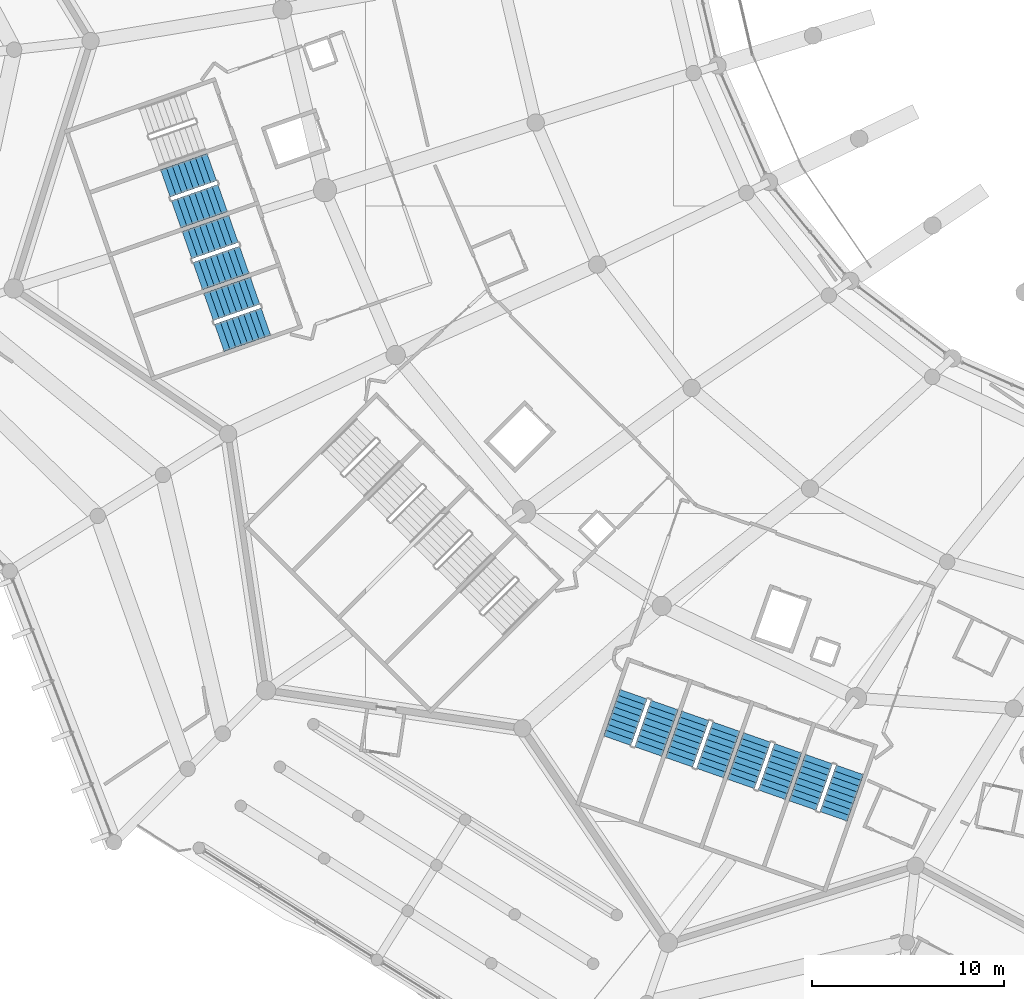
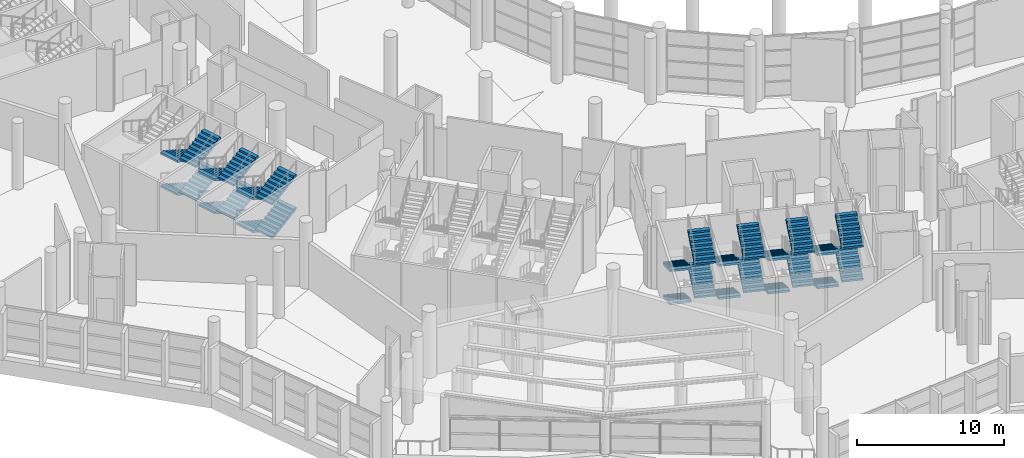
# One storey, part 205 of 271: 28 stair flights, 7 elements without a shape of their own.
"""IFC4 building model written with IfcOpenShell, lengths in metres."""

from ifc_helpers import new_model, si_unit, direction, frame, origin, place, context, subcontext, project, spatial, polyline, outline, extrude, material, type_object, element, aggregate, save


model = new_model("IFC4")

# Units and contexts
model_context = context("Model", 3, precision=1e-05, world=origin(), true_north=direction((0.0, 1.0)))
body_context = subcontext(model_context, "Body", "Model", "MODEL_VIEW")
ifc_project = project(units=[si_unit("LENGTHUNIT", "METRE"), si_unit("AREAUNIT", "SQUARE_METRE"), si_unit("VOLUMEUNIT", "CUBIC_METRE"), si_unit("PLANEANGLEUNIT", "RADIAN"), si_unit("MASSUNIT", "GRAM", prefix="KILO")], contexts=[model_context])

# Site, building, storey
site_placement = place(None, origin())
site = spatial("IfcSite", under=ifc_project, at=site_placement, CompositionType="ELEMENT")
building_placement = place(site_placement, origin())
building = spatial("IfcBuilding", under=site, at=building_placement, Name="Meseta Stadium", CompositionType="ELEMENT")
storey_placement = place(building_placement, frame((0.0, 0.0, 6.5)))
storey = spatial("IfcBuildingStorey", under=building, at=storey_placement, Name="L01", CompositionType="ELEMENT", Elevation=6.5)

# Stair, stair flights
ifc_material_1 = material(Name="Concrete C40/50", Category="concrete")
stair_type = type_object("IfcStairType", Name="Exit stair 4 flights 153 mm risers", PredefinedType="HALF_TURN_STAIR", material=ifc_material_1)
stair_1_placement = place(storey_placement, origin())
stair_1 = element("IfcStair", 1, at=stair_1_placement, inside=storey, type_object=stair_type, Name="ST78 L01", PredefinedType="HALF_TURN_STAIR")
ifc_material_2 = material(Name="Concrete C40/50", Category="concrete")
stair_flight_type = type_object("IfcStairFlightType", Name="Exit stair flight 153 mm risers, 4 per storey", PredefinedType="STRAIGHT", material=ifc_material_2)
stair_flight_1_placement = place(storey_placement, frame((-87.99560546875, -61.9931640625, 0.0), z_axis=(0.0, 0.0, 1.0), x_axis=(-0.943883331955, -0.330279057248, 0.0)))
stair_flight_1 = element("IfcStairFlight", 2, at=stair_flight_1_placement, type_object=stair_flight_type, Name="ST78 L01 flight 1", NumberOfRisers=9, NumberOfTreads=8, PredefinedType="STRAIGHT", RiserHeight=0.152777778, TreadLength=0.32, context=body_context, shape_type="SweptSolid", body=[
    extrude(outline(polyline([(0.0, 0.0), (0.0, 0.15283203125), (0.320068359375, 0.15283203125), (0.320068359375, 0.3056640625), (0.639892578125, 0.3056640625), (0.639892578125, 0.458251953125), (0.9599609375, 0.458251953125), (0.9599609375, 0.611083984375), (1.280029296875, 0.611083984375), (1.280029296875, 0.763916015625), (1.60009765625, 0.763916015625), (1.60009765625, 0.916748046875), (1.919921875, 0.916748046875), (1.919921875, 1.0693359375), (2.239990234375, 1.0693359375), (2.239990234375, 1.22216796875), (2.56005859375, 1.22216796875), (2.56005859375, 1.05615234375), (0.347900390625, 0.0), (0.0, 0.0)])), frame((0.0, 0.75, 0.0), z_axis=(0.0, -1.0, 0.0), x_axis=(1.0, 0.0, 0.0)), (0.0, 0.0, 1.0), 1.5),
])
stair_flight_2_placement = place(storey_placement, frame((-89.850341796875, -64.443359375, 1.375), z_axis=(0.0, 0.0, 1.0), x_axis=(0.943883331955, 0.330279057248, 0.0)))
stair_flight_2 = element("IfcStairFlight", 3, at=stair_flight_2_placement, type_object=stair_flight_type, Name="ST78 L01 flight 2", NumberOfRisers=9, NumberOfTreads=8, PredefinedType="STRAIGHT", RiserHeight=0.152777778, TreadLength=0.32, context=body_context, shape_type="SweptSolid", body=[
    extrude(outline(polyline([(0.0, 0.0), (0.0, 0.15283203125), (0.320068359375, 0.15283203125), (0.320068359375, 0.3056640625), (0.639892578125, 0.3056640625), (0.639892578125, 0.458251953125), (0.9599609375, 0.458251953125), (0.9599609375, 0.611083984375), (1.280029296875, 0.611083984375), (1.280029296875, 0.763916015625), (1.60009765625, 0.763916015625), (1.60009765625, 0.916748046875), (1.919921875, 0.916748046875), (1.919921875, 1.0693359375), (2.239990234375, 1.0693359375), (2.239990234375, 1.22216796875), (2.56005859375, 1.22216796875), (2.56005859375, 1.05615234375), (0.347900390625, 0.0), (0.0, 0.0)])), frame((0.0, 0.75, 0.0), z_axis=(0.0, -1.0, 0.0), x_axis=(1.0, 0.0, 0.0)), (0.0, 0.0, 1.0), 1.5),
])
stair_flight_3_placement = place(storey_placement, frame((-87.99560546875, -61.9931640625, 2.75), z_axis=(0.0, 0.0, 1.0), x_axis=(-0.943883331955, -0.330279057248, 0.0)))
stair_flight_3 = element("IfcStairFlight", 4, at=stair_flight_3_placement, type_object=stair_flight_type, Name="ST78 L01 flight 3", NumberOfRisers=9, NumberOfTreads=8, PredefinedType="STRAIGHT", RiserHeight=0.152777778, TreadLength=0.32, context=body_context, shape_type="SweptSolid", body=[
    extrude(outline(polyline([(0.0, 0.0), (0.0, 0.15283203125), (0.320068359375, 0.15283203125), (0.320068359375, 0.3056640625), (0.639892578125, 0.3056640625), (0.639892578125, 0.458251953125), (0.9599609375, 0.458251953125), (0.9599609375, 0.611083984375), (1.280029296875, 0.611083984375), (1.280029296875, 0.763916015625), (1.60009765625, 0.763916015625), (1.60009765625, 0.916748046875), (1.919921875, 0.916748046875), (1.919921875, 1.0693359375), (2.239990234375, 1.0693359375), (2.239990234375, 1.22216796875), (2.56005859375, 1.22216796875), (2.56005859375, 1.05615234375), (0.347900390625, 0.0), (0.0, 0.0)])), frame((0.0, 0.75, 0.0), z_axis=(0.0, -1.0, 0.0), x_axis=(1.0, 0.0, 0.0)), (0.0, 0.0, 1.0), 1.5),
])
stair_flight_4_placement = place(storey_placement, frame((-89.850341796875, -64.443359375, 4.125), z_axis=(0.0, 0.0, 1.0), x_axis=(0.943883331955, 0.330279057248, 0.0)))
stair_flight_4 = element("IfcStairFlight", 5, at=stair_flight_4_placement, type_object=stair_flight_type, Name="ST78 L01 flight 4", NumberOfRisers=9, NumberOfTreads=8, PredefinedType="STRAIGHT", RiserHeight=0.152777778, TreadLength=0.32, context=body_context, shape_type="SweptSolid", body=[
    extrude(outline(polyline([(0.0, 0.0), (0.0, 0.15283203125), (0.320068359375, 0.15283203125), (0.320068359375, 0.3056640625), (0.639892578125, 0.3056640625), (0.639892578125, 0.458251953125), (0.9599609375, 0.458251953125), (0.9599609375, 0.611083984375), (1.280029296875, 0.611083984375), (1.280029296875, 0.763916015625), (1.60009765625, 0.763916015625), (1.60009765625, 0.916748046875), (1.919921875, 0.916748046875), (1.919921875, 1.0693359375), (2.239990234375, 1.0693359375), (2.239990234375, 1.22216796875), (2.56005859375, 1.22216796875), (2.56005859375, 1.05615234375), (0.347900390625, 0.0), (0.0, 0.0)])), frame((0.0, 0.75, 0.0), z_axis=(0.0, -1.0, 0.0), x_axis=(1.0, 0.0, 0.0)), (0.0, 0.0, 1.0), 1.5),
])
aggregate(stair_1, [stair_flight_1, stair_flight_2, stair_flight_3, stair_flight_4])

stair_2_placement = place(storey_placement, origin())
stair_2 = element("IfcStair", 6, at=stair_2_placement, inside=storey, type_object=stair_type, Name="ST79 L01", PredefinedType="HALF_TURN_STAIR")
stair_flight_5_placement = place(storey_placement, frame((-86.87255859375, -65.202392578125, 0.0), z_axis=(0.0, 0.0, 1.0), x_axis=(-0.943883331955, -0.330279057248, 0.0)))
stair_flight_5 = element("IfcStairFlight", 7, at=stair_flight_5_placement, type_object=stair_flight_type, Name="ST79 L01 flight 1", NumberOfRisers=9, NumberOfTreads=8, PredefinedType="STRAIGHT", RiserHeight=0.152777778, TreadLength=0.32, context=body_context, shape_type="SweptSolid", body=[
    extrude(outline(polyline([(0.0, 0.0), (0.0, 0.15283203125), (0.320068359375, 0.15283203125), (0.320068359375, 0.3056640625), (0.639892578125, 0.3056640625), (0.639892578125, 0.458251953125), (0.9599609375, 0.458251953125), (0.9599609375, 0.611083984375), (1.280029296875, 0.611083984375), (1.280029296875, 0.763916015625), (1.60009765625, 0.763916015625), (1.60009765625, 0.916748046875), (1.919921875, 0.916748046875), (1.919921875, 1.0693359375), (2.239990234375, 1.0693359375), (2.239990234375, 1.22216796875), (2.56005859375, 1.22216796875), (2.56005859375, 1.05615234375), (0.347900390625, 0.0), (0.0, 0.0)])), frame((0.0, 0.75, 0.0), z_axis=(0.0, -1.0, 0.0), x_axis=(1.0, 0.0, 0.0)), (0.0, 0.0, 1.0), 1.5),
])
stair_flight_6_placement = place(storey_placement, frame((-88.7275390625, -67.652587890625, 1.375), z_axis=(0.0, 0.0, 1.0), x_axis=(0.943883331955, 0.330279057248, 0.0)))
stair_flight_6 = element("IfcStairFlight", 8, at=stair_flight_6_placement, type_object=stair_flight_type, Name="ST79 L01 flight 2", NumberOfRisers=9, NumberOfTreads=8, PredefinedType="STRAIGHT", RiserHeight=0.152777778, TreadLength=0.32, context=body_context, shape_type="SweptSolid", body=[
    extrude(outline(polyline([(0.0, 0.0), (0.0, 0.15283203125), (0.320068359375, 0.15283203125), (0.320068359375, 0.3056640625), (0.639892578125, 0.3056640625), (0.639892578125, 0.458251953125), (0.9599609375, 0.458251953125), (0.9599609375, 0.611083984375), (1.280029296875, 0.611083984375), (1.280029296875, 0.763916015625), (1.60009765625, 0.763916015625), (1.60009765625, 0.916748046875), (1.919921875, 0.916748046875), (1.919921875, 1.0693359375), (2.239990234375, 1.0693359375), (2.239990234375, 1.22216796875), (2.56005859375, 1.22216796875), (2.56005859375, 1.05615234375), (0.347900390625, 0.0), (0.0, 0.0)])), frame((0.0, 0.75, 0.0), z_axis=(0.0, -1.0, 0.0), x_axis=(1.0, 0.0, 0.0)), (0.0, 0.0, 1.0), 1.5),
])
stair_flight_7_placement = place(storey_placement, frame((-86.87255859375, -65.202392578125, 2.75), z_axis=(0.0, 0.0, 1.0), x_axis=(-0.943883331955, -0.330279057248, 0.0)))
stair_flight_7 = element("IfcStairFlight", 9, at=stair_flight_7_placement, type_object=stair_flight_type, Name="ST79 L01 flight 3", NumberOfRisers=9, NumberOfTreads=8, PredefinedType="STRAIGHT", RiserHeight=0.152777778, TreadLength=0.32, context=body_context, shape_type="SweptSolid", body=[
    extrude(outline(polyline([(0.0, 0.0), (0.0, 0.15283203125), (0.320068359375, 0.15283203125), (0.320068359375, 0.3056640625), (0.639892578125, 0.3056640625), (0.639892578125, 0.458251953125), (0.9599609375, 0.458251953125), (0.9599609375, 0.611083984375), (1.280029296875, 0.611083984375), (1.280029296875, 0.763916015625), (1.60009765625, 0.763916015625), (1.60009765625, 0.916748046875), (1.919921875, 0.916748046875), (1.919921875, 1.0693359375), (2.239990234375, 1.0693359375), (2.239990234375, 1.22216796875), (2.56005859375, 1.22216796875), (2.56005859375, 1.05615234375), (0.347900390625, 0.0), (0.0, 0.0)])), frame((0.0, 0.75, 0.0), z_axis=(0.0, -1.0, 0.0), x_axis=(1.0, 0.0, 0.0)), (0.0, 0.0, 1.0), 1.5),
])
stair_flight_8_placement = place(storey_placement, frame((-88.7275390625, -67.652587890625, 4.125), z_axis=(0.0, 0.0, 1.0), x_axis=(0.943883331955, 0.330279057248, 0.0)))
stair_flight_8 = element("IfcStairFlight", 10, at=stair_flight_8_placement, type_object=stair_flight_type, Name="ST79 L01 flight 4", NumberOfRisers=9, NumberOfTreads=8, PredefinedType="STRAIGHT", RiserHeight=0.152777778, TreadLength=0.32, context=body_context, shape_type="SweptSolid", body=[
    extrude(outline(polyline([(0.0, 0.0), (0.0, 0.15283203125), (0.320068359375, 0.15283203125), (0.320068359375, 0.3056640625), (0.639892578125, 0.3056640625), (0.639892578125, 0.458251953125), (0.9599609375, 0.458251953125), (0.9599609375, 0.611083984375), (1.280029296875, 0.611083984375), (1.280029296875, 0.763916015625), (1.60009765625, 0.763916015625), (1.60009765625, 0.916748046875), (1.919921875, 0.916748046875), (1.919921875, 1.0693359375), (2.239990234375, 1.0693359375), (2.239990234375, 1.22216796875), (2.56005859375, 1.22216796875), (2.56005859375, 1.05615234375), (0.347900390625, 0.0), (0.0, 0.0)])), frame((0.0, 0.75, 0.0), z_axis=(0.0, -1.0, 0.0), x_axis=(1.0, 0.0, 0.0)), (0.0, 0.0, 1.0), 1.5),
])
aggregate(stair_2, [stair_flight_5, stair_flight_6, stair_flight_7, stair_flight_8])

stair_3_placement = place(storey_placement, origin())
stair_3 = element("IfcStair", 11, at=stair_3_placement, inside=storey, type_object=stair_type, Name="ST80 L01", PredefinedType="HALF_TURN_STAIR")
stair_flight_9_placement = place(storey_placement, frame((-85.74951171875, -68.41162109375, 0.0), z_axis=(0.0, 0.0, 1.0), x_axis=(-0.943883331955, -0.330279057248, 0.0)))
stair_flight_9 = element("IfcStairFlight", 12, at=stair_flight_9_placement, type_object=stair_flight_type, Name="ST80 L01 flight 1", NumberOfRisers=9, NumberOfTreads=8, PredefinedType="STRAIGHT", RiserHeight=0.152777778, TreadLength=0.32, context=body_context, shape_type="SweptSolid", body=[
    extrude(outline(polyline([(0.0, 0.0), (0.0, 0.15283203125), (0.320068359375, 0.15283203125), (0.320068359375, 0.3056640625), (0.639892578125, 0.3056640625), (0.639892578125, 0.458251953125), (0.9599609375, 0.458251953125), (0.9599609375, 0.611083984375), (1.280029296875, 0.611083984375), (1.280029296875, 0.763916015625), (1.60009765625, 0.763916015625), (1.60009765625, 0.916748046875), (1.919921875, 0.916748046875), (1.919921875, 1.0693359375), (2.239990234375, 1.0693359375), (2.239990234375, 1.22216796875), (2.56005859375, 1.22216796875), (2.56005859375, 1.05615234375), (0.347900390625, 0.0), (0.0, 0.0)])), frame((0.0, 0.75, 0.0), z_axis=(0.0, -1.0, 0.0), x_axis=(1.0, 0.0, 0.0)), (0.0, 0.0, 1.0), 1.5),
])
stair_flight_10_placement = place(storey_placement, frame((-87.6044921875, -70.86181640625, 1.375), z_axis=(0.0, 0.0, 1.0), x_axis=(0.943883331955, 0.330279057248, 0.0)))
stair_flight_10 = element("IfcStairFlight", 13, at=stair_flight_10_placement, type_object=stair_flight_type, Name="ST80 L01 flight 2", NumberOfRisers=9, NumberOfTreads=8, PredefinedType="STRAIGHT", RiserHeight=0.152777778, TreadLength=0.32, context=body_context, shape_type="SweptSolid", body=[
    extrude(outline(polyline([(0.0, 0.0), (0.0, 0.15283203125), (0.320068359375, 0.15283203125), (0.320068359375, 0.3056640625), (0.639892578125, 0.3056640625), (0.639892578125, 0.458251953125), (0.9599609375, 0.458251953125), (0.9599609375, 0.611083984375), (1.280029296875, 0.611083984375), (1.280029296875, 0.763916015625), (1.60009765625, 0.763916015625), (1.60009765625, 0.916748046875), (1.919921875, 0.916748046875), (1.919921875, 1.0693359375), (2.239990234375, 1.0693359375), (2.239990234375, 1.22216796875), (2.56005859375, 1.22216796875), (2.56005859375, 1.05615234375), (0.347900390625, 0.0), (0.0, 0.0)])), frame((0.0, 0.75, 0.0), z_axis=(0.0, -1.0, 0.0), x_axis=(1.0, 0.0, 0.0)), (0.0, 0.0, 1.0), 1.5),
])
stair_flight_11_placement = place(storey_placement, frame((-85.74951171875, -68.41162109375, 2.75), z_axis=(0.0, 0.0, 1.0), x_axis=(-0.943883331955, -0.330279057248, 0.0)))
stair_flight_11 = element("IfcStairFlight", 14, at=stair_flight_11_placement, type_object=stair_flight_type, Name="ST80 L01 flight 3", NumberOfRisers=9, NumberOfTreads=8, PredefinedType="STRAIGHT", RiserHeight=0.152777778, TreadLength=0.32, context=body_context, shape_type="SweptSolid", body=[
    extrude(outline(polyline([(0.0, 0.0), (0.0, 0.15283203125), (0.320068359375, 0.15283203125), (0.320068359375, 0.3056640625), (0.639892578125, 0.3056640625), (0.639892578125, 0.458251953125), (0.9599609375, 0.458251953125), (0.9599609375, 0.611083984375), (1.280029296875, 0.611083984375), (1.280029296875, 0.763916015625), (1.60009765625, 0.763916015625), (1.60009765625, 0.916748046875), (1.919921875, 0.916748046875), (1.919921875, 1.0693359375), (2.239990234375, 1.0693359375), (2.239990234375, 1.22216796875), (2.56005859375, 1.22216796875), (2.56005859375, 1.05615234375), (0.347900390625, 0.0), (0.0, 0.0)])), frame((0.0, 0.75, 0.0), z_axis=(0.0, -1.0, 0.0), x_axis=(1.0, 0.0, 0.0)), (0.0, 0.0, 1.0), 1.5),
])
stair_flight_12_placement = place(storey_placement, frame((-87.6044921875, -70.86181640625, 4.125), z_axis=(0.0, 0.0, 1.0), x_axis=(0.943883331955, 0.330279057248, 0.0)))
stair_flight_12 = element("IfcStairFlight", 15, at=stair_flight_12_placement, type_object=stair_flight_type, Name="ST80 L01 flight 4", NumberOfRisers=9, NumberOfTreads=8, PredefinedType="STRAIGHT", RiserHeight=0.152777778, TreadLength=0.32, context=body_context, shape_type="SweptSolid", body=[
    extrude(outline(polyline([(0.0, 0.0), (0.0, 0.15283203125), (0.320068359375, 0.15283203125), (0.320068359375, 0.3056640625), (0.639892578125, 0.3056640625), (0.639892578125, 0.458251953125), (0.9599609375, 0.458251953125), (0.9599609375, 0.611083984375), (1.280029296875, 0.611083984375), (1.280029296875, 0.763916015625), (1.60009765625, 0.763916015625), (1.60009765625, 0.916748046875), (1.919921875, 0.916748046875), (1.919921875, 1.0693359375), (2.239990234375, 1.0693359375), (2.239990234375, 1.22216796875), (2.56005859375, 1.22216796875), (2.56005859375, 1.05615234375), (0.347900390625, 0.0), (0.0, 0.0)])), frame((0.0, 0.75, 0.0), z_axis=(0.0, -1.0, 0.0), x_axis=(1.0, 0.0, 0.0)), (0.0, 0.0, 1.0), 1.5),
])
aggregate(stair_3, [stair_flight_9, stair_flight_10, stair_flight_11, stair_flight_12])

stair_4_placement = place(storey_placement, origin())
stair_4 = element("IfcStair", 16, at=stair_4_placement, inside=storey, type_object=stair_type, Name="ST85 L01", PredefinedType="HALF_TURN_STAIR")
stair_flight_13_placement = place(storey_placement, frame((-66.082275390625, -89.376953125, 0.0), z_axis=(0.0, 0.0, 1.0), x_axis=(-0.330279057248, -0.943883331955, 0.0)))
stair_flight_13 = element("IfcStairFlight", 17, at=stair_flight_13_placement, type_object=stair_flight_type, Name="ST85 L01 flight 1", NumberOfRisers=9, NumberOfTreads=8, PredefinedType="STRAIGHT", RiserHeight=0.152777778, TreadLength=0.32, context=body_context, shape_type="SweptSolid", body=[
    extrude(outline(polyline([(0.0, 0.0), (0.0, 0.15283203125), (0.320068359375, 0.15283203125), (0.320068359375, 0.3056640625), (0.639892578125, 0.3056640625), (0.639892578125, 0.458251953125), (0.9599609375, 0.458251953125), (0.9599609375, 0.611083984375), (1.280029296875, 0.611083984375), (1.280029296875, 0.763916015625), (1.60009765625, 0.763916015625), (1.60009765625, 0.916748046875), (1.919921875, 0.916748046875), (1.919921875, 1.0693359375), (2.239990234375, 1.0693359375), (2.239990234375, 1.22216796875), (2.56005859375, 1.22216796875), (2.56005859375, 1.05615234375), (0.347900390625, 0.0), (0.0, 0.0)])), frame((0.0, 0.75, 0.0), z_axis=(0.0, -1.0, 0.0), x_axis=(1.0, 0.0, 0.0)), (0.0, 0.0, 1.0), 1.5),
])
stair_flight_14_placement = place(storey_placement, frame((-65.3232421875, -92.354736328125, 1.375), z_axis=(0.0, 0.0, 1.0), x_axis=(0.330279057248, 0.943883331955, 0.0)))
stair_flight_14 = element("IfcStairFlight", 18, at=stair_flight_14_placement, type_object=stair_flight_type, Name="ST85 L01 flight 2", NumberOfRisers=9, NumberOfTreads=8, PredefinedType="STRAIGHT", RiserHeight=0.152777778, TreadLength=0.32, context=body_context, shape_type="SweptSolid", body=[
    extrude(outline(polyline([(0.0, 0.0), (0.0, 0.15283203125), (0.320068359375, 0.15283203125), (0.320068359375, 0.3056640625), (0.639892578125, 0.3056640625), (0.639892578125, 0.458251953125), (0.9599609375, 0.458251953125), (0.9599609375, 0.611083984375), (1.280029296875, 0.611083984375), (1.280029296875, 0.763916015625), (1.60009765625, 0.763916015625), (1.60009765625, 0.916748046875), (1.919921875, 0.916748046875), (1.919921875, 1.0693359375), (2.239990234375, 1.0693359375), (2.239990234375, 1.22216796875), (2.56005859375, 1.22216796875), (2.56005859375, 1.05615234375), (0.347900390625, 0.0), (0.0, 0.0)])), frame((0.0, 0.75, 0.0), z_axis=(0.0, -1.0, 0.0), x_axis=(1.0, 0.0, 0.0)), (0.0, 0.0, 1.0), 1.5),
])
stair_flight_15_placement = place(storey_placement, frame((-66.082275390625, -89.376953125, 2.75), z_axis=(0.0, 0.0, 1.0), x_axis=(-0.330279057248, -0.943883331955, 0.0)))
stair_flight_15 = element("IfcStairFlight", 19, at=stair_flight_15_placement, type_object=stair_flight_type, Name="ST85 L01 flight 3", NumberOfRisers=9, NumberOfTreads=8, PredefinedType="STRAIGHT", RiserHeight=0.152777778, TreadLength=0.32, context=body_context, shape_type="SweptSolid", body=[
    extrude(outline(polyline([(0.0, 0.0), (0.0, 0.15283203125), (0.320068359375, 0.15283203125), (0.320068359375, 0.3056640625), (0.639892578125, 0.3056640625), (0.639892578125, 0.458251953125), (0.9599609375, 0.458251953125), (0.9599609375, 0.611083984375), (1.280029296875, 0.611083984375), (1.280029296875, 0.763916015625), (1.60009765625, 0.763916015625), (1.60009765625, 0.916748046875), (1.919921875, 0.916748046875), (1.919921875, 1.0693359375), (2.239990234375, 1.0693359375), (2.239990234375, 1.22216796875), (2.56005859375, 1.22216796875), (2.56005859375, 1.05615234375), (0.347900390625, 0.0), (0.0, 0.0)])), frame((0.0, 0.75, 0.0), z_axis=(0.0, -1.0, 0.0), x_axis=(1.0, 0.0, 0.0)), (0.0, 0.0, 1.0), 1.5),
])
stair_flight_16_placement = place(storey_placement, frame((-65.3232421875, -92.354736328125, 4.125), z_axis=(0.0, 0.0, 1.0), x_axis=(0.330279057248, 0.943883331955, 0.0)))
stair_flight_16 = element("IfcStairFlight", 20, at=stair_flight_16_placement, type_object=stair_flight_type, Name="ST85 L01 flight 4", NumberOfRisers=9, NumberOfTreads=8, PredefinedType="STRAIGHT", RiserHeight=0.152777778, TreadLength=0.32, context=body_context, shape_type="SweptSolid", body=[
    extrude(outline(polyline([(0.0, 0.0), (0.0, 0.15283203125), (0.320068359375, 0.15283203125), (0.320068359375, 0.3056640625), (0.639892578125, 0.3056640625), (0.639892578125, 0.458251953125), (0.9599609375, 0.458251953125), (0.9599609375, 0.611083984375), (1.280029296875, 0.611083984375), (1.280029296875, 0.763916015625), (1.60009765625, 0.763916015625), (1.60009765625, 0.916748046875), (1.919921875, 0.916748046875), (1.919921875, 1.0693359375), (2.239990234375, 1.0693359375), (2.239990234375, 1.22216796875), (2.56005859375, 1.22216796875), (2.56005859375, 1.05615234375), (0.347900390625, 0.0), (0.0, 0.0)])), frame((0.0, 0.75, 0.0), z_axis=(0.0, -1.0, 0.0), x_axis=(1.0, 0.0, 0.0)), (0.0, 0.0, 1.0), 1.5),
])
aggregate(stair_4, [stair_flight_13, stair_flight_14, stair_flight_15, stair_flight_16])

stair_5_placement = place(storey_placement, origin())
stair_5 = element("IfcStair", 21, at=stair_5_placement, inside=storey, type_object=stair_type, Name="ST86 L01", PredefinedType="HALF_TURN_STAIR")
stair_flight_17_placement = place(storey_placement, frame((-62.873046875, -90.5, 0.0), z_axis=(0.0, 0.0, 1.0), x_axis=(-0.330279057248, -0.943883331955, 0.0)))
stair_flight_17 = element("IfcStairFlight", 22, at=stair_flight_17_placement, type_object=stair_flight_type, Name="ST86 L01 flight 1", NumberOfRisers=9, NumberOfTreads=8, PredefinedType="STRAIGHT", RiserHeight=0.152777778, TreadLength=0.32, context=body_context, shape_type="SweptSolid", body=[
    extrude(outline(polyline([(0.0, 0.0), (0.0, 0.15283203125), (0.320068359375, 0.15283203125), (0.320068359375, 0.3056640625), (0.639892578125, 0.3056640625), (0.639892578125, 0.458251953125), (0.9599609375, 0.458251953125), (0.9599609375, 0.611083984375), (1.280029296875, 0.611083984375), (1.280029296875, 0.763916015625), (1.60009765625, 0.763916015625), (1.60009765625, 0.916748046875), (1.919921875, 0.916748046875), (1.919921875, 1.0693359375), (2.239990234375, 1.0693359375), (2.239990234375, 1.22216796875), (2.56005859375, 1.22216796875), (2.56005859375, 1.05615234375), (0.347900390625, 0.0), (0.0, 0.0)])), frame((0.0, 0.75, 0.0), z_axis=(0.0, -1.0, 0.0), x_axis=(1.0, 0.0, 0.0)), (0.0, 0.0, 1.0), 1.5),
])
stair_flight_18_placement = place(storey_placement, frame((-62.114013671875, -93.477783203125, 1.375), z_axis=(0.0, 0.0, 1.0), x_axis=(0.330279057248, 0.943883331955, 0.0)))
stair_flight_18 = element("IfcStairFlight", 23, at=stair_flight_18_placement, type_object=stair_flight_type, Name="ST86 L01 flight 2", NumberOfRisers=9, NumberOfTreads=8, PredefinedType="STRAIGHT", RiserHeight=0.152777778, TreadLength=0.32, context=body_context, shape_type="SweptSolid", body=[
    extrude(outline(polyline([(0.0, 0.0), (0.0, 0.15283203125), (0.320068359375, 0.15283203125), (0.320068359375, 0.3056640625), (0.639892578125, 0.3056640625), (0.639892578125, 0.458251953125), (0.9599609375, 0.458251953125), (0.9599609375, 0.611083984375), (1.280029296875, 0.611083984375), (1.280029296875, 0.763916015625), (1.60009765625, 0.763916015625), (1.60009765625, 0.916748046875), (1.919921875, 0.916748046875), (1.919921875, 1.0693359375), (2.239990234375, 1.0693359375), (2.239990234375, 1.22216796875), (2.56005859375, 1.22216796875), (2.56005859375, 1.05615234375), (0.347900390625, 0.0), (0.0, 0.0)])), frame((0.0, 0.75, 0.0), z_axis=(0.0, -1.0, 0.0), x_axis=(1.0, 0.0, 0.0)), (0.0, 0.0, 1.0), 1.5),
])
stair_flight_19_placement = place(storey_placement, frame((-62.873046875, -90.5, 2.75), z_axis=(0.0, 0.0, 1.0), x_axis=(-0.330279057248, -0.943883331955, 0.0)))
stair_flight_19 = element("IfcStairFlight", 24, at=stair_flight_19_placement, type_object=stair_flight_type, Name="ST86 L01 flight 3", NumberOfRisers=9, NumberOfTreads=8, PredefinedType="STRAIGHT", RiserHeight=0.152777778, TreadLength=0.32, context=body_context, shape_type="SweptSolid", body=[
    extrude(outline(polyline([(0.0, 0.0), (0.0, 0.15283203125), (0.320068359375, 0.15283203125), (0.320068359375, 0.3056640625), (0.639892578125, 0.3056640625), (0.639892578125, 0.458251953125), (0.9599609375, 0.458251953125), (0.9599609375, 0.611083984375), (1.280029296875, 0.611083984375), (1.280029296875, 0.763916015625), (1.60009765625, 0.763916015625), (1.60009765625, 0.916748046875), (1.919921875, 0.916748046875), (1.919921875, 1.0693359375), (2.239990234375, 1.0693359375), (2.239990234375, 1.22216796875), (2.56005859375, 1.22216796875), (2.56005859375, 1.05615234375), (0.347900390625, 0.0), (0.0, 0.0)])), frame((0.0, 0.75, 0.0), z_axis=(0.0, -1.0, 0.0), x_axis=(1.0, 0.0, 0.0)), (0.0, 0.0, 1.0), 1.5),
])
stair_flight_20_placement = place(storey_placement, frame((-62.114013671875, -93.477783203125, 4.125), z_axis=(0.0, 0.0, 1.0), x_axis=(0.330279057248, 0.943883331955, 0.0)))
stair_flight_20 = element("IfcStairFlight", 25, at=stair_flight_20_placement, type_object=stair_flight_type, Name="ST86 L01 flight 4", NumberOfRisers=9, NumberOfTreads=8, PredefinedType="STRAIGHT", RiserHeight=0.152777778, TreadLength=0.32, context=body_context, shape_type="SweptSolid", body=[
    extrude(outline(polyline([(0.0, 0.0), (0.0, 0.15283203125), (0.320068359375, 0.15283203125), (0.320068359375, 0.3056640625), (0.639892578125, 0.3056640625), (0.639892578125, 0.458251953125), (0.9599609375, 0.458251953125), (0.9599609375, 0.611083984375), (1.280029296875, 0.611083984375), (1.280029296875, 0.763916015625), (1.60009765625, 0.763916015625), (1.60009765625, 0.916748046875), (1.919921875, 0.916748046875), (1.919921875, 1.0693359375), (2.239990234375, 1.0693359375), (2.239990234375, 1.22216796875), (2.56005859375, 1.22216796875), (2.56005859375, 1.05615234375), (0.347900390625, 0.0), (0.0, 0.0)])), frame((0.0, 0.75, 0.0), z_axis=(0.0, -1.0, 0.0), x_axis=(1.0, 0.0, 0.0)), (0.0, 0.0, 1.0), 1.5),
])
aggregate(stair_5, [stair_flight_17, stair_flight_18, stair_flight_19, stair_flight_20])

stair_6_placement = place(storey_placement, origin())
stair_6 = element("IfcStair", 26, at=stair_6_placement, inside=storey, type_object=stair_type, Name="ST87 L01", PredefinedType="HALF_TURN_STAIR")
stair_flight_21_placement = place(storey_placement, frame((-59.663818359375, -91.622802734375, 0.0), z_axis=(0.0, 0.0, 1.0), x_axis=(-0.330279057248, -0.943883331955, 0.0)))
stair_flight_21 = element("IfcStairFlight", 27, at=stair_flight_21_placement, type_object=stair_flight_type, Name="ST87 L01 flight 1", NumberOfRisers=9, NumberOfTreads=8, PredefinedType="STRAIGHT", RiserHeight=0.152777778, TreadLength=0.32, context=body_context, shape_type="SweptSolid", body=[
    extrude(outline(polyline([(0.0, 0.0), (0.0, 0.15283203125), (0.320068359375, 0.15283203125), (0.320068359375, 0.3056640625), (0.639892578125, 0.3056640625), (0.639892578125, 0.458251953125), (0.9599609375, 0.458251953125), (0.9599609375, 0.611083984375), (1.280029296875, 0.611083984375), (1.280029296875, 0.763916015625), (1.60009765625, 0.763916015625), (1.60009765625, 0.916748046875), (1.919921875, 0.916748046875), (1.919921875, 1.0693359375), (2.239990234375, 1.0693359375), (2.239990234375, 1.22216796875), (2.56005859375, 1.22216796875), (2.56005859375, 1.05615234375), (0.347900390625, 0.0), (0.0, 0.0)])), frame((0.0, 0.75, 0.0), z_axis=(0.0, -1.0, 0.0), x_axis=(1.0, 0.0, 0.0)), (0.0, 0.0, 1.0), 1.5),
])
stair_flight_22_placement = place(storey_placement, frame((-58.90478515625, -94.6005859375, 1.375), z_axis=(0.0, 0.0, 1.0), x_axis=(0.330279057248, 0.943883331955, 0.0)))
stair_flight_22 = element("IfcStairFlight", 28, at=stair_flight_22_placement, type_object=stair_flight_type, Name="ST87 L01 flight 2", NumberOfRisers=9, NumberOfTreads=8, PredefinedType="STRAIGHT", RiserHeight=0.152777778, TreadLength=0.32, context=body_context, shape_type="SweptSolid", body=[
    extrude(outline(polyline([(0.0, 0.0), (0.0, 0.15283203125), (0.320068359375, 0.15283203125), (0.320068359375, 0.3056640625), (0.639892578125, 0.3056640625), (0.639892578125, 0.458251953125), (0.9599609375, 0.458251953125), (0.9599609375, 0.611083984375), (1.280029296875, 0.611083984375), (1.280029296875, 0.763916015625), (1.60009765625, 0.763916015625), (1.60009765625, 0.916748046875), (1.919921875, 0.916748046875), (1.919921875, 1.0693359375), (2.239990234375, 1.0693359375), (2.239990234375, 1.22216796875), (2.56005859375, 1.22216796875), (2.56005859375, 1.05615234375), (0.347900390625, 0.0), (0.0, 0.0)])), frame((0.0, 0.75, 0.0), z_axis=(0.0, -1.0, 0.0), x_axis=(1.0, 0.0, 0.0)), (0.0, 0.0, 1.0), 1.5),
])
stair_flight_23_placement = place(storey_placement, frame((-59.663818359375, -91.622802734375, 2.75), z_axis=(0.0, 0.0, 1.0), x_axis=(-0.330279057248, -0.943883331955, 0.0)))
stair_flight_23 = element("IfcStairFlight", 29, at=stair_flight_23_placement, type_object=stair_flight_type, Name="ST87 L01 flight 3", NumberOfRisers=9, NumberOfTreads=8, PredefinedType="STRAIGHT", RiserHeight=0.152777778, TreadLength=0.32, context=body_context, shape_type="SweptSolid", body=[
    extrude(outline(polyline([(0.0, 0.0), (0.0, 0.15283203125), (0.320068359375, 0.15283203125), (0.320068359375, 0.3056640625), (0.639892578125, 0.3056640625), (0.639892578125, 0.458251953125), (0.9599609375, 0.458251953125), (0.9599609375, 0.611083984375), (1.280029296875, 0.611083984375), (1.280029296875, 0.763916015625), (1.60009765625, 0.763916015625), (1.60009765625, 0.916748046875), (1.919921875, 0.916748046875), (1.919921875, 1.0693359375), (2.239990234375, 1.0693359375), (2.239990234375, 1.22216796875), (2.56005859375, 1.22216796875), (2.56005859375, 1.05615234375), (0.347900390625, 0.0), (0.0, 0.0)])), frame((0.0, 0.75, 0.0), z_axis=(0.0, -1.0, 0.0), x_axis=(1.0, 0.0, 0.0)), (0.0, 0.0, 1.0), 1.5),
])
stair_flight_24_placement = place(storey_placement, frame((-58.90478515625, -94.6005859375, 4.125), z_axis=(0.0, 0.0, 1.0), x_axis=(0.330279057248, 0.943883331955, 0.0)))
stair_flight_24 = element("IfcStairFlight", 30, at=stair_flight_24_placement, type_object=stair_flight_type, Name="ST87 L01 flight 4", NumberOfRisers=9, NumberOfTreads=8, PredefinedType="STRAIGHT", RiserHeight=0.152777778, TreadLength=0.32, context=body_context, shape_type="SweptSolid", body=[
    extrude(outline(polyline([(0.0, 0.0), (0.0, 0.15283203125), (0.320068359375, 0.15283203125), (0.320068359375, 0.3056640625), (0.639892578125, 0.3056640625), (0.639892578125, 0.458251953125), (0.9599609375, 0.458251953125), (0.9599609375, 0.611083984375), (1.280029296875, 0.611083984375), (1.280029296875, 0.763916015625), (1.60009765625, 0.763916015625), (1.60009765625, 0.916748046875), (1.919921875, 0.916748046875), (1.919921875, 1.0693359375), (2.239990234375, 1.0693359375), (2.239990234375, 1.22216796875), (2.56005859375, 1.22216796875), (2.56005859375, 1.05615234375), (0.347900390625, 0.0), (0.0, 0.0)])), frame((0.0, 0.75, 0.0), z_axis=(0.0, -1.0, 0.0), x_axis=(1.0, 0.0, 0.0)), (0.0, 0.0, 1.0), 1.5),
])
aggregate(stair_6, [stair_flight_21, stair_flight_22, stair_flight_23, stair_flight_24])

stair_7_placement = place(storey_placement, origin())
stair_7 = element("IfcStair", 31, at=stair_7_placement, inside=storey, type_object=stair_type, Name="ST88 L01", PredefinedType="HALF_TURN_STAIR")
stair_flight_25_placement = place(storey_placement, frame((-56.454833984375, -92.745849609375, 0.0), z_axis=(0.0, 0.0, 1.0), x_axis=(-0.330279057248, -0.943883331955, 0.0)))
stair_flight_25 = element("IfcStairFlight", 32, at=stair_flight_25_placement, type_object=stair_flight_type, Name="ST88 L01 flight 1", NumberOfRisers=9, NumberOfTreads=8, PredefinedType="STRAIGHT", RiserHeight=0.152777778, TreadLength=0.32, context=body_context, shape_type="SweptSolid", body=[
    extrude(outline(polyline([(0.0, 0.0), (0.0, 0.15283203125), (0.320068359375, 0.15283203125), (0.320068359375, 0.3056640625), (0.639892578125, 0.3056640625), (0.639892578125, 0.458251953125), (0.9599609375, 0.458251953125), (0.9599609375, 0.611083984375), (1.280029296875, 0.611083984375), (1.280029296875, 0.763916015625), (1.60009765625, 0.763916015625), (1.60009765625, 0.916748046875), (1.919921875, 0.916748046875), (1.919921875, 1.0693359375), (2.239990234375, 1.0693359375), (2.239990234375, 1.22216796875), (2.56005859375, 1.22216796875), (2.56005859375, 1.05615234375), (0.347900390625, 0.0), (0.0, 0.0)])), frame((0.0, 0.75, 0.0), z_axis=(0.0, -1.0, 0.0), x_axis=(1.0, 0.0, 0.0)), (0.0, 0.0, 1.0), 1.5),
])
stair_flight_26_placement = place(storey_placement, frame((-55.695556640625, -95.7236328125, 1.375), z_axis=(0.0, 0.0, 1.0), x_axis=(0.330279057248, 0.943883331955, 0.0)))
stair_flight_26 = element("IfcStairFlight", 33, at=stair_flight_26_placement, type_object=stair_flight_type, Name="ST88 L01 flight 2", NumberOfRisers=9, NumberOfTreads=8, PredefinedType="STRAIGHT", RiserHeight=0.152777778, TreadLength=0.32, context=body_context, shape_type="SweptSolid", body=[
    extrude(outline(polyline([(0.0, 0.0), (0.0, 0.15283203125), (0.320068359375, 0.15283203125), (0.320068359375, 0.3056640625), (0.639892578125, 0.3056640625), (0.639892578125, 0.458251953125), (0.9599609375, 0.458251953125), (0.9599609375, 0.611083984375), (1.280029296875, 0.611083984375), (1.280029296875, 0.763916015625), (1.60009765625, 0.763916015625), (1.60009765625, 0.916748046875), (1.919921875, 0.916748046875), (1.919921875, 1.0693359375), (2.239990234375, 1.0693359375), (2.239990234375, 1.22216796875), (2.56005859375, 1.22216796875), (2.56005859375, 1.05615234375), (0.347900390625, 0.0), (0.0, 0.0)])), frame((0.0, 0.75, 0.0), z_axis=(0.0, -1.0, 0.0), x_axis=(1.0, 0.0, 0.0)), (0.0, 0.0, 1.0), 1.5),
])
stair_flight_27_placement = place(storey_placement, frame((-56.454833984375, -92.745849609375, 2.75), z_axis=(0.0, 0.0, 1.0), x_axis=(-0.330279057248, -0.943883331955, 0.0)))
stair_flight_27 = element("IfcStairFlight", 34, at=stair_flight_27_placement, type_object=stair_flight_type, Name="ST88 L01 flight 3", NumberOfRisers=9, NumberOfTreads=8, PredefinedType="STRAIGHT", RiserHeight=0.152777778, TreadLength=0.32, context=body_context, shape_type="SweptSolid", body=[
    extrude(outline(polyline([(0.0, 0.0), (0.0, 0.15283203125), (0.320068359375, 0.15283203125), (0.320068359375, 0.3056640625), (0.639892578125, 0.3056640625), (0.639892578125, 0.458251953125), (0.9599609375, 0.458251953125), (0.9599609375, 0.611083984375), (1.280029296875, 0.611083984375), (1.280029296875, 0.763916015625), (1.60009765625, 0.763916015625), (1.60009765625, 0.916748046875), (1.919921875, 0.916748046875), (1.919921875, 1.0693359375), (2.239990234375, 1.0693359375), (2.239990234375, 1.22216796875), (2.56005859375, 1.22216796875), (2.56005859375, 1.05615234375), (0.347900390625, 0.0), (0.0, 0.0)])), frame((0.0, 0.75, 0.0), z_axis=(0.0, -1.0, 0.0), x_axis=(1.0, 0.0, 0.0)), (0.0, 0.0, 1.0), 1.5),
])
stair_flight_28_placement = place(storey_placement, frame((-55.695556640625, -95.7236328125, 4.125), z_axis=(0.0, 0.0, 1.0), x_axis=(0.330279057248, 0.943883331955, 0.0)))
stair_flight_28 = element("IfcStairFlight", 35, at=stair_flight_28_placement, type_object=stair_flight_type, Name="ST88 L01 flight 4", NumberOfRisers=9, NumberOfTreads=8, PredefinedType="STRAIGHT", RiserHeight=0.152777778, TreadLength=0.32, context=body_context, shape_type="SweptSolid", body=[
    extrude(outline(polyline([(0.0, 0.0), (0.0, 0.15283203125), (0.320068359375, 0.15283203125), (0.320068359375, 0.3056640625), (0.639892578125, 0.3056640625), (0.639892578125, 0.458251953125), (0.9599609375, 0.458251953125), (0.9599609375, 0.611083984375), (1.280029296875, 0.611083984375), (1.280029296875, 0.763916015625), (1.60009765625, 0.763916015625), (1.60009765625, 0.916748046875), (1.919921875, 0.916748046875), (1.919921875, 1.0693359375), (2.239990234375, 1.0693359375), (2.239990234375, 1.22216796875), (2.56005859375, 1.22216796875), (2.56005859375, 1.05615234375), (0.347900390625, 0.0), (0.0, 0.0)])), frame((0.0, 0.75, 0.0), z_axis=(0.0, -1.0, 0.0), x_axis=(1.0, 0.0, 0.0)), (0.0, 0.0, 1.0), 1.5),
])
aggregate(stair_7, [stair_flight_25, stair_flight_26, stair_flight_27, stair_flight_28])

save(model, "model.ifc")
